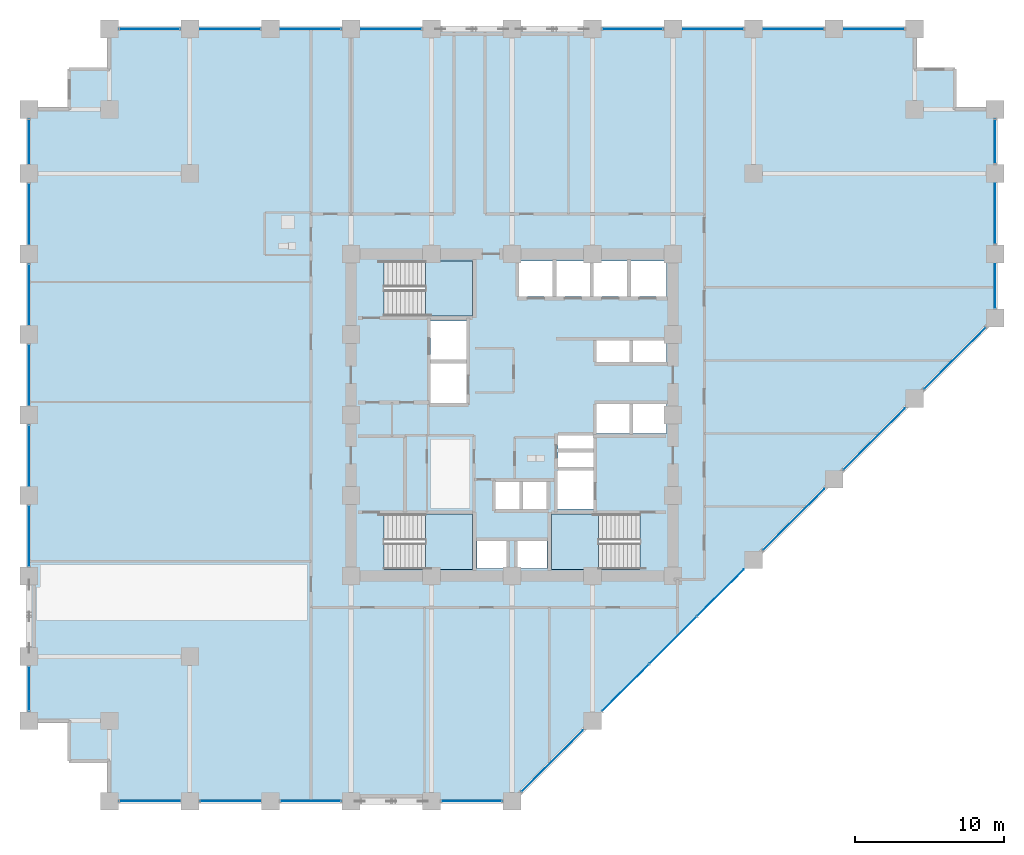
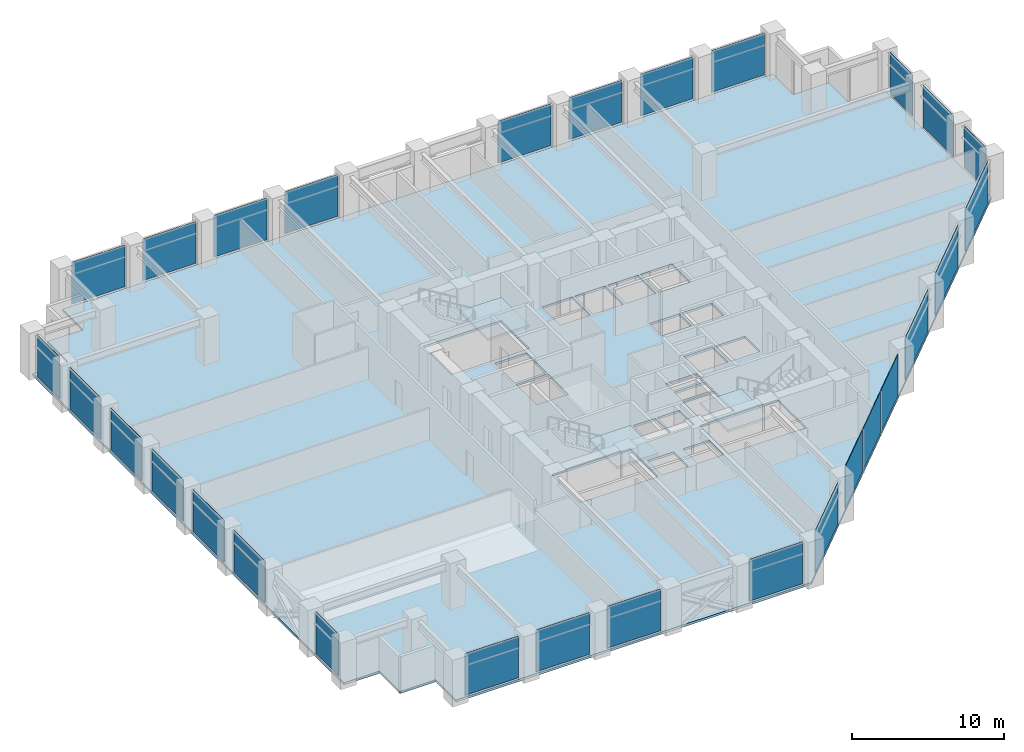
# One storey, part 18 of 26: 29 plates, 4 slabs, 11 elements without a shape of their own.
"""IFC4 building model written with IfcOpenShell, lengths in metres."""

from ifc_helpers import new_model, si_unit, direction, frame, frame_2d, origin, place, context, subcontext, project, spatial, polyline, rectangle, outline, extrude, material, layer, layer_set, type_object, element, aggregate, save


model = new_model("IFC4")

# Units and contexts
model_context = context("Model", 3, precision=1e-05, world=origin(), true_north=direction((0.0, 1.0)))
body_context = subcontext(model_context, "Body", "Model", "MODEL_VIEW")
ifc_project = project(units=[si_unit("LENGTHUNIT", "METRE"), si_unit("AREAUNIT", "SQUARE_METRE"), si_unit("VOLUMEUNIT", "CUBIC_METRE"), si_unit("PLANEANGLEUNIT", "RADIAN"), si_unit("MASSUNIT", "GRAM", prefix="KILO")], contexts=[model_context])

# Site, building, storey
site_placement = place(None, origin())
site = spatial("IfcSite", under=ifc_project, at=site_placement, CompositionType="ELEMENT")
building_placement = place(site_placement, origin())
building = spatial("IfcBuilding", under=site, at=building_placement, Name="Surkhivell Harbour Commons", CompositionType="ELEMENT")
storey_placement = place(building_placement, frame((0.0, 0.0, 75.0)))
storey = spatial("IfcBuildingStorey", under=building, at=storey_placement, Name="L19", CompositionType="ELEMENT", Elevation=75.0)

# Curtain wall, plates
ifc_material_1 = material(Name="Anodised pale-metal aluminium and insulated glazing", Category="aluminium")
ifc_layer_1 = layer(ifc_material_1, 0.219970703125)
ifc_layer_set_1 = layer_set([ifc_layer_1], Name="Anodised pale-metal aluminium and insulated glazing")
curtain_wall_type = type_object("IfcCurtainWallType", Name="CW-SYS-Z1", PredefinedType="NOTDEFINED", material=ifc_layer_set_1)
curtain_wall_1_placement = place(storey_placement, origin())
curtain_wall_1 = element("IfcCurtainWall", 1, at=curtain_wall_1_placement, inside=storey, type_object=curtain_wall_type, Name="L19 Curtain Wall CW-L19-E00S1", PredefinedType="NOTDEFINED")
ifc_material_2 = material(Name="Double-silver low-E laminated vision glass", Category="glass")
ifc_layer_2 = layer(ifc_material_2, 0.031982421875)
ifc_layer_set_2 = layer_set([ifc_layer_2], Name="Double-silver low-E laminated vision glass")
plate_type = type_object("IfcPlateType", Name="CWP-GLZ-32", PredefinedType="CURTAIN_PANEL", material=ifc_layer_set_2)
plate_1_placement = place(storey_placement, frame((-26.322998046875, -25.89990234375, 0.14990234375), z_axis=(0.0, 0.0, 1.0), x_axis=(1.0, 0.0, 0.0)))
plate_1 = element("IfcPlate", 2, at=plate_1_placement, type_object=plate_type, Name="CW-Z1 panel 1.1", PredefinedType="CURTAIN_PANEL", context=body_context, shape_type="SweptSolid", body=[
    extrude(rectangle(XDim=4.0458984375, YDim=0.031982421875, at=frame_2d((2.02294921875, 0.0))), origin(), (0.0, 0.0, 1.0), 3.35009765625),
])
plate_2_placement = place(storey_placement, frame((-20.923095703125, -25.89990234375, 0.14990234375), z_axis=(0.0, 0.0, 1.0), x_axis=(1.0, 0.0, 0.0)))
plate_2 = element("IfcPlate", 3, at=plate_2_placement, type_object=plate_type, Name="CW-Z1 panel 2.1", PredefinedType="CURTAIN_PANEL", context=body_context, shape_type="SweptSolid", body=[
    extrude(rectangle(XDim=4.046142578125, YDim=0.031982421875, at=frame_2d((2.02294921875, 0.0))), origin(), (0.0, 0.0, 1.0), 3.35009765625),
])
plate_3_placement = place(storey_placement, frame((-15.52294921875, -25.89990234375, 0.14990234375), z_axis=(0.0, 0.0, 1.0), x_axis=(1.0, 0.0, 0.0)))
plate_3 = element("IfcPlate", 4, at=plate_3_placement, type_object=plate_type, Name="CW-Z1 panel 3.1", PredefinedType="CURTAIN_PANEL", context=body_context, shape_type="SweptSolid", body=[
    extrude(rectangle(XDim=4.0458984375, YDim=0.031982421875, at=frame_2d((2.02294921875, 0.0))), origin(), (0.0, 0.0, 1.0), 3.35009765625),
])
aggregate(curtain_wall_1, [plate_1, plate_2, plate_3])

# Curtain wall, plate
curtain_wall_2_placement = place(storey_placement, origin())
curtain_wall_2 = element("IfcCurtainWall", 5, at=curtain_wall_2_placement, inside=storey, type_object=curtain_wall_type, Name="L19 Curtain Wall CW-L19-E00S2", PredefinedType="NOTDEFINED")
plate_4_placement = place(storey_placement, frame((-4.722900390625, -25.89990234375, 0.14990234375), z_axis=(0.0, 0.0, 1.0), x_axis=(1.0, 0.0, 0.0)))
plate_4 = element("IfcPlate", 6, at=plate_4_placement, type_object=plate_type, Name="CW-Z1 panel 1.1", PredefinedType="CURTAIN_PANEL", context=body_context, shape_type="SweptSolid", body=[
    extrude(rectangle(XDim=4.0458984375, YDim=0.031982421875, at=frame_2d((2.02294921875, 0.0))), origin(), (0.0, 0.0, 1.0), 3.35009765625),
])
aggregate(curtain_wall_2, [plate_4])

# Curtain wall, plates
curtain_wall_3_placement = place(storey_placement, origin())
curtain_wall_3 = element("IfcCurtainWall", 7, at=curtain_wall_3_placement, inside=storey, type_object=curtain_wall_type, Name="L19 Curtain Wall CW-L19-E01", PredefinedType="NOTDEFINED")
plate_5_placement = place(storey_placement, frame((0.65478515625, -25.2451171875, 0.14990234375), z_axis=(0.0, 0.0, 1.0), x_axis=(0.707106781187, 0.707106781187, 0.0)))
plate_5 = element("IfcPlate", 8, at=plate_5_placement, type_object=plate_type, Name="CW-Z1 panel 1.1", PredefinedType="CURTAIN_PANEL", context=body_context, shape_type="SweptSolid", body=[
    extrude(rectangle(XDim=5.78466796875, YDim=0.031982421875, at=frame_2d((2.892333984375, 0.0))), origin(), (0.0, 0.0, 1.0), 3.35009765625),
])
plate_6_placement = place(storey_placement, frame((6.0546875, -19.84521484375, 0.14990234375), z_axis=(0.0, 0.0, 1.0), x_axis=(0.707106781187, 0.707106781187, 0.0)))
plate_6 = element("IfcPlate", 9, at=plate_6_placement, type_object=plate_type, Name="CW-Z1 panel 2.1", PredefinedType="CURTAIN_PANEL", context=body_context, shape_type="SweptSolid", body=[
    extrude(rectangle(XDim=4.411376953125, YDim=0.031982421875, at=frame_2d((2.20556640625, 0.0))), origin(), (0.0, 0.0, 1.0), 3.35009765625),
])
plate_7_placement = place(storey_placement, frame((9.22705078125, -16.6728515625, 0.14990234375), z_axis=(0.0, 0.0, 1.0), x_axis=(0.707106781187, 0.707106781187, 0.0)))
plate_7 = element("IfcPlate", 10, at=plate_7_placement, type_object=plate_type, Name="CW-Z1 panel 3.1", PredefinedType="CURTAIN_PANEL", context=body_context, shape_type="SweptSolid", body=[
    extrude(rectangle(XDim=4.44873046875, YDim=0.031982421875, at=frame_2d((2.224365234375, 0.0))), origin(), (0.0, 0.0, 1.0), 3.35009765625),
])
plate_8_placement = place(storey_placement, frame((12.426025390625, -13.47412109375, 0.14990234375), z_axis=(0.0, 0.0, 1.0), x_axis=(0.707079108482, 0.707134452808, 0.0)))
plate_8 = element("IfcPlate", 11, at=plate_8_placement, type_object=plate_type, Name="CW-Z1 panel 4.1", PredefinedType="CURTAIN_PANEL", context=body_context, shape_type="SweptSolid", body=[
    extrude(rectangle(XDim=4.411376953125, YDim=0.031982421875, at=frame_2d((2.20556640625, 0.0))), origin(), (0.0, 0.0, 1.0), 3.35009765625),
])
plate_9_placement = place(storey_placement, frame((16.854736328125, -9.045166015625, 0.14990234375), z_axis=(0.0, 0.0, 1.0), x_axis=(0.707127882868, 0.707085678876, 0.0)))
plate_9 = element("IfcPlate", 12, at=plate_9_placement, type_object=plate_type, Name="CW-Z1 panel 5.1", PredefinedType="CURTAIN_PANEL", context=body_context, shape_type="SweptSolid", body=[
    extrude(rectangle(XDim=5.78466796875, YDim=0.031982421875, at=frame_2d((2.892333984375, 0.0))), origin(), (0.0, 0.0, 1.0), 3.35009765625),
])
plate_10_placement = place(storey_placement, frame((22.2548828125, -3.645263671875, 0.14990234375), z_axis=(0.0, 0.0, 1.0), x_axis=(0.707085678876, 0.707127882868, 0.0)))
plate_10 = element("IfcPlate", 13, at=plate_10_placement, type_object=plate_type, Name="CW-Z1 panel 6.1", PredefinedType="CURTAIN_PANEL", context=body_context, shape_type="SweptSolid", body=[
    extrude(rectangle(XDim=5.78466796875, YDim=0.031982421875, at=frame_2d((2.892333984375, 0.0))), origin(), (0.0, 0.0, 1.0), 3.35009765625),
])
plate_11_placement = place(storey_placement, frame((27.65478515625, 1.7548828125, 0.14990234375), z_axis=(0.0, 0.0, 1.0), x_axis=(0.707106781187, 0.707106781187, 0.0)))
plate_11 = element("IfcPlate", 14, at=plate_11_placement, type_object=plate_type, Name="CW-Z1 panel 7.1", PredefinedType="CURTAIN_PANEL", context=body_context, shape_type="SweptSolid", body=[
    extrude(rectangle(XDim=5.78466796875, YDim=0.031982421875, at=frame_2d((2.892333984375, 0.0))), origin(), (0.0, 0.0, 1.0), 3.35009765625),
])
aggregate(curtain_wall_3, [plate_5, plate_6, plate_7, plate_8, plate_9, plate_10, plate_11])

curtain_wall_4_placement = place(storey_placement, origin())
curtain_wall_4 = element("IfcCurtainWall", 15, at=curtain_wall_4_placement, inside=storey, type_object=curtain_wall_type, Name="L19 Curtain Wall CW-L19-E02", PredefinedType="NOTDEFINED")
plate_12_placement = place(storey_placement, frame((32.39990234375, 7.177001953125, 0.14990234375), z_axis=(0.0, 0.0, 1.0), x_axis=(0.0, 1.0, 0.0)))
plate_12 = element("IfcPlate", 16, at=plate_12_placement, type_object=plate_type, Name="CW-Z1 panel 1.1", PredefinedType="CURTAIN_PANEL", context=body_context, shape_type="SweptSolid", body=[
    extrude(rectangle(XDim=2.946044921875, YDim=0.031982421875, at=frame_2d((1.47314453125, 0.0))), origin(), (0.0, 0.0, 1.0), 3.35009765625),
])
plate_13_placement = place(storey_placement, frame((32.39990234375, 11.47705078125, 0.14990234375), z_axis=(0.0, 0.0, 1.0), x_axis=(0.0, 1.0, 0.0)))
plate_13 = element("IfcPlate", 17, at=plate_13_placement, type_object=plate_type, Name="CW-Z1 panel 2.1", PredefinedType="CURTAIN_PANEL", context=body_context, shape_type="SweptSolid", body=[
    extrude(rectangle(XDim=4.0458984375, YDim=0.031982421875, at=frame_2d((2.02294921875, 0.0))), origin(), (0.0, 0.0, 1.0), 3.35009765625),
])
plate_14_placement = place(storey_placement, frame((32.39990234375, 16.876953125, 0.14990234375), z_axis=(0.0, 0.0, 1.0), x_axis=(0.0, 1.0, 0.0)))
plate_14 = element("IfcPlate", 18, at=plate_14_placement, type_object=plate_type, Name="CW-Z1 panel 3.1", PredefinedType="CURTAIN_PANEL", context=body_context, shape_type="SweptSolid", body=[
    extrude(rectangle(XDim=2.946044921875, YDim=0.031982421875, at=frame_2d((1.47314453125, 0.0))), origin(), (0.0, 0.0, 1.0), 3.35009765625),
])
aggregate(curtain_wall_4, [plate_12, plate_13, plate_14])

curtain_wall_5_placement = place(storey_placement, origin())
curtain_wall_5 = element("IfcCurtainWall", 19, at=curtain_wall_5_placement, inside=storey, type_object=curtain_wall_type, Name="L19 Curtain Wall CW-L19-E07S1", PredefinedType="NOTDEFINED")
plate_15_placement = place(storey_placement, frame((26.322998046875, 25.89990234375, 0.14990234375), z_axis=(0.0, 0.0, 1.0), x_axis=(-1.0, 0.0, 0.0)))
plate_15 = element("IfcPlate", 20, at=plate_15_placement, type_object=plate_type, Name="CW-Z1 panel 1.1", PredefinedType="CURTAIN_PANEL", context=body_context, shape_type="SweptSolid", body=[
    extrude(rectangle(XDim=4.0458984375, YDim=0.031982421875, at=frame_2d((2.02294921875, 0.0))), origin(), (0.0, 0.0, 1.0), 3.35009765625),
])
plate_16_placement = place(storey_placement, frame((20.923095703125, 25.89990234375, 0.14990234375), z_axis=(0.0, 0.0, 1.0), x_axis=(-1.0, 0.0, 0.0)))
plate_16 = element("IfcPlate", 21, at=plate_16_placement, type_object=plate_type, Name="CW-Z1 panel 2.1", PredefinedType="CURTAIN_PANEL", context=body_context, shape_type="SweptSolid", body=[
    extrude(rectangle(XDim=4.046142578125, YDim=0.031982421875, at=frame_2d((2.02294921875, 0.0))), origin(), (0.0, 0.0, 1.0), 3.35009765625),
])
plate_17_placement = place(storey_placement, frame((15.52294921875, 25.89990234375, 0.14990234375), z_axis=(0.0, 0.0, 1.0), x_axis=(-1.0, 0.0, 0.0)))
plate_17 = element("IfcPlate", 22, at=plate_17_placement, type_object=plate_type, Name="CW-Z1 panel 3.1", PredefinedType="CURTAIN_PANEL", context=body_context, shape_type="SweptSolid", body=[
    extrude(rectangle(XDim=4.0458984375, YDim=0.031982421875, at=frame_2d((2.02294921875, 0.0))), origin(), (0.0, 0.0, 1.0), 3.35009765625),
])
plate_18_placement = place(storey_placement, frame((10.123046875, 25.89990234375, 0.14990234375), z_axis=(0.0, 0.0, 1.0), x_axis=(-1.0, 0.0, 0.0)))
plate_18 = element("IfcPlate", 23, at=plate_18_placement, type_object=plate_type, Name="CW-Z1 panel 4.1", PredefinedType="CURTAIN_PANEL", context=body_context, shape_type="SweptSolid", body=[
    extrude(rectangle(XDim=4.046142578125, YDim=0.031982421875, at=frame_2d((2.02294921875, 0.0))), origin(), (0.0, 0.0, 1.0), 3.35009765625),
])
aggregate(curtain_wall_5, [plate_15, plate_16, plate_17, plate_18])

curtain_wall_6_placement = place(storey_placement, origin())
curtain_wall_6 = element("IfcCurtainWall", 24, at=curtain_wall_6_placement, inside=storey, type_object=curtain_wall_type, Name="L19 Curtain Wall CW-L19-E07S2", PredefinedType="NOTDEFINED")
plate_19_placement = place(storey_placement, frame((-6.076904296875, 25.89990234375, 0.14990234375), z_axis=(0.0, 0.0, 1.0), x_axis=(-1.0, 0.0, 0.0)))
plate_19 = element("IfcPlate", 25, at=plate_19_placement, type_object=plate_type, Name="CW-Z1 panel 1.1", PredefinedType="CURTAIN_PANEL", context=body_context, shape_type="SweptSolid", body=[
    extrude(rectangle(XDim=4.046142578125, YDim=0.031982421875, at=frame_2d((2.02294921875, 0.0))), origin(), (0.0, 0.0, 1.0), 3.35009765625),
])
plate_20_placement = place(storey_placement, frame((-11.47705078125, 25.89990234375, 0.14990234375), z_axis=(0.0, 0.0, 1.0), x_axis=(-1.0, 0.0, 0.0)))
plate_20 = element("IfcPlate", 26, at=plate_20_placement, type_object=plate_type, Name="CW-Z1 panel 2.1", PredefinedType="CURTAIN_PANEL", context=body_context, shape_type="SweptSolid", body=[
    extrude(rectangle(XDim=4.0458984375, YDim=0.031982421875, at=frame_2d((2.02294921875, 0.0))), origin(), (0.0, 0.0, 1.0), 3.35009765625),
])
plate_21_placement = place(storey_placement, frame((-16.876953125, 25.89990234375, 0.14990234375), z_axis=(0.0, 0.0, 1.0), x_axis=(-1.0, 0.0, 0.0)))
plate_21 = element("IfcPlate", 27, at=plate_21_placement, type_object=plate_type, Name="CW-Z1 panel 3.1", PredefinedType="CURTAIN_PANEL", context=body_context, shape_type="SweptSolid", body=[
    extrude(rectangle(XDim=4.046142578125, YDim=0.031982421875, at=frame_2d((2.02294921875, 0.0))), origin(), (0.0, 0.0, 1.0), 3.35009765625),
])
plate_22_placement = place(storey_placement, frame((-22.277099609375, 25.89990234375, 0.14990234375), z_axis=(0.0, 0.0, 1.0), x_axis=(-1.0, 0.0, 0.0)))
plate_22 = element("IfcPlate", 28, at=plate_22_placement, type_object=plate_type, Name="CW-Z1 panel 4.1", PredefinedType="CURTAIN_PANEL", context=body_context, shape_type="SweptSolid", body=[
    extrude(rectangle(XDim=4.0458984375, YDim=0.031982421875, at=frame_2d((2.02294921875, 0.0))), origin(), (0.0, 0.0, 1.0), 3.35009765625),
])
aggregate(curtain_wall_6, [plate_19, plate_20, plate_21, plate_22])

curtain_wall_7_placement = place(storey_placement, origin())
curtain_wall_7 = element("IfcCurtainWall", 29, at=curtain_wall_7_placement, inside=storey, type_object=curtain_wall_type, Name="L19 Curtain Wall CW-L19-E12S1", PredefinedType="NOTDEFINED")
plate_23_placement = place(storey_placement, frame((-32.39990234375, 19.822998046875, 0.14990234375), z_axis=(0.0, 0.0, 1.0), x_axis=(0.0, -1.0, 0.0)))
plate_23 = element("IfcPlate", 30, at=plate_23_placement, type_object=plate_type, Name="CW-Z1 panel 1.1", PredefinedType="CURTAIN_PANEL", context=body_context, shape_type="SweptSolid", body=[
    extrude(rectangle(XDim=2.946044921875, YDim=0.031982421875, at=frame_2d((1.47314453125, 0.0))), origin(), (0.0, 0.0, 1.0), 3.35009765625),
])
plate_24_placement = place(storey_placement, frame((-32.39990234375, 15.52294921875, 0.14990234375), z_axis=(0.0, 0.0, 1.0), x_axis=(0.0, -1.0, 0.0)))
plate_24 = element("IfcPlate", 31, at=plate_24_placement, type_object=plate_type, Name="CW-Z1 panel 2.1", PredefinedType="CURTAIN_PANEL", context=body_context, shape_type="SweptSolid", body=[
    extrude(rectangle(XDim=4.0458984375, YDim=0.031982421875, at=frame_2d((2.02294921875, 0.0))), origin(), (0.0, 0.0, 1.0), 3.35009765625),
])
plate_25_placement = place(storey_placement, frame((-32.39990234375, 10.123046875, 0.14990234375), z_axis=(0.0, 0.0, 1.0), x_axis=(0.0, -1.0, 0.0)))
plate_25 = element("IfcPlate", 32, at=plate_25_placement, type_object=plate_type, Name="CW-Z1 panel 3.1", PredefinedType="CURTAIN_PANEL", context=body_context, shape_type="SweptSolid", body=[
    extrude(rectangle(XDim=4.046142578125, YDim=0.031982421875, at=frame_2d((2.02294921875, 0.0))), origin(), (0.0, 0.0, 1.0), 3.35009765625),
])
plate_26_placement = place(storey_placement, frame((-32.39990234375, 4.722900390625, 0.14990234375), z_axis=(0.0, 0.0, 1.0), x_axis=(0.0, -1.0, 0.0)))
plate_26 = element("IfcPlate", 33, at=plate_26_placement, type_object=plate_type, Name="CW-Z1 panel 4.1", PredefinedType="CURTAIN_PANEL", context=body_context, shape_type="SweptSolid", body=[
    extrude(rectangle(XDim=4.0458984375, YDim=0.031982421875, at=frame_2d((2.02294921875, 0.0))), origin(), (0.0, 0.0, 1.0), 3.35009765625),
])
plate_27_placement = place(storey_placement, frame((-32.39990234375, -0.677001953125, 0.14990234375), z_axis=(0.0, 0.0, 1.0), x_axis=(0.0, -1.0, 0.0)))
plate_27 = element("IfcPlate", 34, at=plate_27_placement, type_object=plate_type, Name="CW-Z1 panel 5.1", PredefinedType="CURTAIN_PANEL", context=body_context, shape_type="SweptSolid", body=[
    extrude(rectangle(XDim=4.0458984375, YDim=0.031982421875, at=frame_2d((2.02294921875, 0.0))), origin(), (0.0, 0.0, 1.0), 3.35009765625),
])
plate_28_placement = place(storey_placement, frame((-32.39990234375, -6.076904296875, 0.14990234375), z_axis=(0.0, 0.0, 1.0), x_axis=(0.0, -1.0, 0.0)))
plate_28 = element("IfcPlate", 35, at=plate_28_placement, type_object=plate_type, Name="CW-Z1 panel 6.1", PredefinedType="CURTAIN_PANEL", context=body_context, shape_type="SweptSolid", body=[
    extrude(rectangle(XDim=4.046142578125, YDim=0.031982421875, at=frame_2d((2.02294921875, 0.0))), origin(), (0.0, 0.0, 1.0), 3.35009765625),
])
aggregate(curtain_wall_7, [plate_23, plate_24, plate_25, plate_26, plate_27, plate_28])

# Curtain wall, plate
curtain_wall_8_placement = place(storey_placement, origin())
curtain_wall_8 = element("IfcCurtainWall", 36, at=curtain_wall_8_placement, inside=storey, type_object=curtain_wall_type, Name="L19 Curtain Wall CW-L19-E12S2", PredefinedType="NOTDEFINED")
plate_29_placement = place(storey_placement, frame((-32.39990234375, -16.876953125, 0.14990234375), z_axis=(0.0, 0.0, 1.0), x_axis=(0.0, -1.0, 0.0)))
plate_29 = element("IfcPlate", 37, at=plate_29_placement, type_object=plate_type, Name="CW-Z1 panel 1.1", PredefinedType="CURTAIN_PANEL", context=body_context, shape_type="SweptSolid", body=[
    extrude(rectangle(XDim=2.946044921875, YDim=0.031982421875, at=frame_2d((1.47314453125, 0.0))), origin(), (0.0, 0.0, 1.0), 3.35009765625),
])
aggregate(curtain_wall_8, [plate_29])

# Stair, slab
ifc_material_3 = material(Name="Precast concrete C45/55", Category="concrete")
stair_type = type_object("IfcStairType", Name="STR-DL-375", PredefinedType="HALF_TURN_STAIR", material=ifc_material_3)
stair_1_placement = place(storey_placement, origin())
stair_1 = element("IfcStair", 38, at=stair_1_placement, inside=storey, type_object=stair_type, Name="L19 Core Exit Stair ST1", PredefinedType="HALF_TURN_STAIR")
ifc_material_4 = material(Name="Reinforced concrete C45/55", Category="concrete")
ifc_layer_3 = layer(ifc_material_4, 0.199951171875)
ifc_layer_set_3 = layer_set([ifc_layer_3], Name="Reinforced concrete C45/55")
slab_type_1 = type_object("IfcSlabType", Name="SLB-ST-LND200", PredefinedType="LANDING", material=ifc_layer_set_3)
slab_1_placement = place(storey_placement, frame((0.0, 0.0, 1.675048828125)))
slab_1 = element("IfcSlab", 39, at=slab_1_placement, type_object=slab_type_1, Name="ST1 landing 1", PredefinedType="LANDING", context=body_context, shape_type="SweptSolid", body=[
    extrude(outline(polyline([(-5.7900390625, 6.639892578125), (-2.639892578125, 6.639892578125), (-2.639892578125, 10.340087890625), (-5.7900390625, 10.340087890625), (-5.7900390625, 6.639892578125)])), origin(), (0.0, 0.0, 1.0), 0.199951171875),
])
aggregate(stair_1, [slab_1])

stair_2_placement = place(storey_placement, origin())
stair_2 = element("IfcStair", 40, at=stair_2_placement, inside=storey, type_object=stair_type, Name="L19 Core Exit Stair ST2", PredefinedType="HALF_TURN_STAIR")
slab_2_placement = place(storey_placement, frame((0.0, 0.0, 1.675048828125)))
slab_2 = element("IfcSlab", 41, at=slab_2_placement, type_object=slab_type_1, Name="ST2 landing 1", PredefinedType="LANDING", context=body_context, shape_type="SweptSolid", body=[
    extrude(outline(polyline([(5.7900390625, -6.639892578125), (2.639892578125, -6.639892578125), (2.639892578125, -10.340087890625), (5.7900390625, -10.340087890625), (5.7900390625, -6.639892578125)])), origin(), (0.0, 0.0, 1.0), 0.199951171875),
])
aggregate(stair_2, [slab_2])

stair_3_placement = place(storey_placement, origin())
stair_3 = element("IfcStair", 42, at=stair_3_placement, inside=storey, type_object=stair_type, Name="L19 Core Exit Stair ST3", PredefinedType="HALF_TURN_STAIR")
slab_3_placement = place(storey_placement, frame((0.0, 0.0, 1.675048828125)))
slab_3 = element("IfcSlab", 43, at=slab_3_placement, type_object=slab_type_1, Name="ST3 landing 1", PredefinedType="LANDING", context=body_context, shape_type="SweptSolid", body=[
    extrude(outline(polyline([(-5.7900390625, -10.340087890625), (-2.639892578125, -10.340087890625), (-2.639892578125, -6.639892578125), (-5.7900390625, -6.639892578125), (-5.7900390625, -10.340087890625)])), origin(), (0.0, 0.0, 1.0), 0.199951171875),
])
aggregate(stair_3, [slab_3])

# Slab
ifc_material_5 = material(Name="Concrete C45/55", Category="concrete")
ifc_layer_4 = layer(ifc_material_5, 0.179931640625)
ifc_layer_set_4 = layer_set([ifc_layer_4], Name="Concrete C45/55")
slab_type_2 = type_object("IfcSlabType", Name="SLB-TYP-180", PredefinedType="FLOOR", material=ifc_layer_set_4)
slab_4_placement = place(storey_placement, frame((0.0, 0.0, -0.179931640625)))
element("IfcSlab", 44, at=slab_4_placement, inside=storey, type_object=slab_type_2, Name="L19 Structural Floor Slab", PredefinedType="FLOOR", context=body_context, shape_type="SweptSolid", body=[
    extrude(outline(polyline([(-27.0, -25.89990234375), (0.0, -25.89990234375), (32.39990234375, 6.5), (32.39990234375, 20.5), (29.699951171875, 20.5), (29.699951171875, 23.199951171875), (27.0, 23.199951171875), (27.0, 25.89990234375), (-27.0, 25.89990234375), (-27.0, 23.199951171875), (-29.699951171875, 23.199951171875), (-29.699951171875, 20.5), (-32.39990234375, 20.5), (-32.39990234375, -20.5), (-29.699951171875, -20.5), (-29.699951171875, -23.199951171875), (-27.0, -23.199951171875), (-27.0, -25.89990234375)]), holes=[polyline([(-8.590087890625, 6.639892578125), (-2.639892578125, 6.639892578125), (-2.639892578125, 10.340087890625), (-8.590087890625, 10.340087890625), (-8.590087890625, 6.639892578125)]), polyline([(8.590087890625, -6.639892578125), (2.639892578125, -6.639892578125), (2.639892578125, -10.340087890625), (8.590087890625, -10.340087890625), (8.590087890625, -6.639892578125)]), polyline([(-8.590087890625, -10.340087890625), (-2.639892578125, -10.340087890625), (-2.639892578125, -6.639892578125), (-8.590087890625, -6.639892578125), (-8.590087890625, -10.340087890625)]), polyline([(0.449951171875, 7.949951171875), (2.75, 7.949951171875), (2.75, 10.35009765625), (0.449951171875, 10.35009765625), (0.449951171875, 7.949951171875)]), polyline([(2.949951171875, 7.949951171875), (5.25, 7.949951171875), (5.25, 10.35009765625), (2.949951171875, 10.35009765625), (2.949951171875, 7.949951171875)]), polyline([(5.449951171875, 7.949951171875), (7.75, 7.949951171875), (7.75, 10.35009765625), (5.449951171875, 10.35009765625), (5.449951171875, 7.949951171875)]), polyline([(7.949951171875, 7.949951171875), (10.35009765625, 7.949951171875), (10.35009765625, 10.35009765625), (7.949951171875, 10.35009765625), (7.949951171875, 7.949951171875)]), polyline([(5.64990234375, 3.550048828125), (7.89990234375, 3.550048828125), (7.89990234375, 5.14990234375), (5.64990234375, 5.14990234375), (5.64990234375, 3.550048828125)]), polyline([(8.10009765625, 3.550048828125), (10.35009765625, 3.550048828125), (10.35009765625, 5.14990234375), (8.10009765625, 5.14990234375), (8.10009765625, 3.550048828125)]), polyline([(5.64990234375, -1.25), (7.89990234375, -1.25), (7.89990234375, 0.75), (5.64990234375, 0.75), (5.64990234375, -1.25)]), polyline([(8.10009765625, -1.25), (10.35009765625, -1.25), (10.35009765625, 0.75), (8.10009765625, 0.75), (8.10009765625, -1.25)]), polyline([(-1.14990234375, -6.35009765625), (0.550048828125, -6.35009765625), (0.550048828125, -4.449951171875), (-1.14990234375, -4.449951171875), (-1.14990234375, -6.35009765625)]), polyline([(0.679931640625, -6.35009765625), (2.3798828125, -6.35009765625), (2.3798828125, -4.449951171875), (0.679931640625, -4.449951171875), (0.679931640625, -6.35009765625)]), polyline([(-2.35009765625, -10.300048828125), (-0.35009765625, -10.300048828125), (-0.35009765625, -8.39990234375), (-2.35009765625, -8.39990234375), (-2.35009765625, -10.300048828125)]), polyline([(0.35009765625, -10.300048828125), (2.35009765625, -10.300048828125), (2.35009765625, -8.39990234375), (0.35009765625, -8.39990234375), (0.35009765625, -10.300048828125)]), polyline([(-5.449951171875, 3.699951171875), (-3.050048828125, 3.699951171875), (-3.050048828125, 6.300048828125), (-5.449951171875, 6.300048828125), (-5.449951171875, 3.699951171875)]), polyline([(3.050048828125, -6.300048828125), (5.449951171875, -6.300048828125), (5.449951171875, -3.699951171875), (3.050048828125, -3.699951171875), (3.050048828125, -6.300048828125)]), polyline([(-5.449951171875, 0.800048828125), (-3.050048828125, 0.800048828125), (-3.050048828125, 3.5), (-5.449951171875, 3.5), (-5.449951171875, 0.800048828125)]), polyline([(3.10009765625, -3.550048828125), (5.449951171875, -3.550048828125), (5.449951171875, -2.47998046875), (3.10009765625, -2.47998046875), (3.10009765625, -3.550048828125)]), polyline([(3.10009765625, -2.280029296875), (5.449951171875, -2.280029296875), (5.449951171875, -1.35009765625), (3.10009765625, -1.35009765625), (3.10009765625, -2.280029296875)])]), origin(), (0.0, 0.0, 1.0), 0.179931640625),
])

save(model, "model.ifc")
